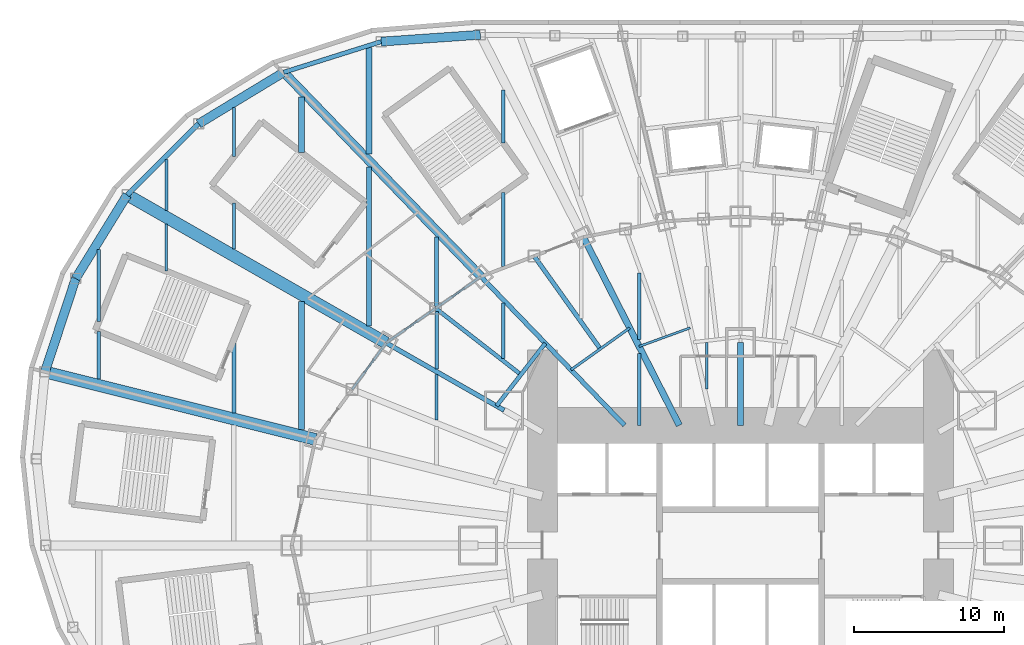
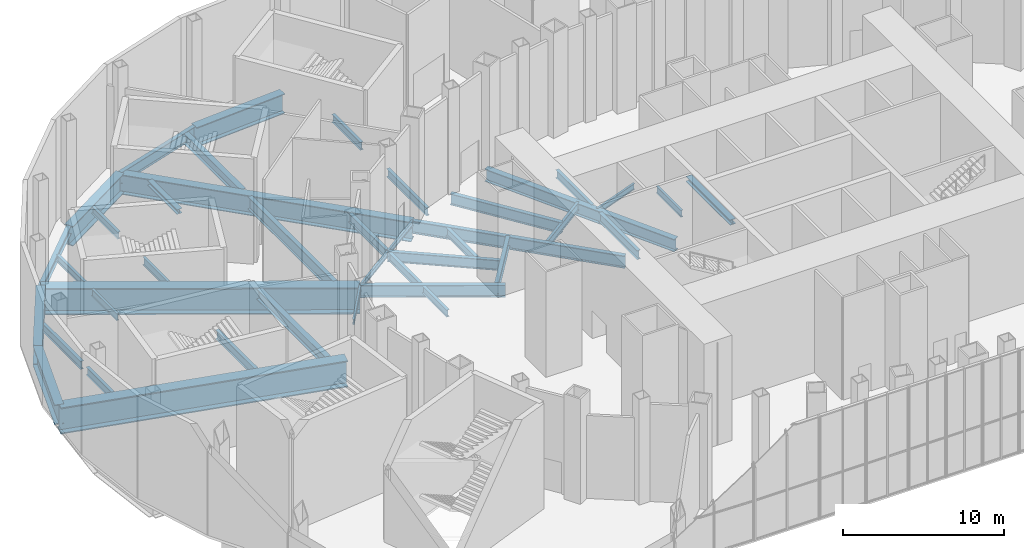
# One storey, part 6 of 74: 41 beams.
"""IFC4 building model written with IfcOpenShell, lengths in metres."""

from ifc_helpers import new_model, si_unit, direction, frame, origin, origin_2d, place, context, subcontext, project, spatial, i_section, extrude, material, material_profile, profile_set, type_object, element, save


model = new_model("IFC4")

# Units and contexts
model_context = context("Model", 3, precision=1e-05, world=origin(), true_north=direction((0.0, 1.0)))
body_context = subcontext(model_context, "Body", "Model", "MODEL_VIEW")
ifc_project = project(units=[si_unit("LENGTHUNIT", "METRE"), si_unit("AREAUNIT", "SQUARE_METRE"), si_unit("VOLUMEUNIT", "CUBIC_METRE"), si_unit("PLANEANGLEUNIT", "RADIAN"), si_unit("MASSUNIT", "GRAM", prefix="KILO")], contexts=[model_context])

# Site, building, storey
site_placement = place(None, origin())
site = spatial("IfcSite", under=ifc_project, at=site_placement, CompositionType="ELEMENT")
building_placement = place(site_placement, origin())
building = spatial("IfcBuilding", under=site, at=building_placement, Name="Lantaw Convention Tower", CompositionType="ELEMENT")
storey_placement = place(building_placement, frame((0.0, 0.0, 6.5)))
storey = spatial("IfcBuildingStorey", under=building, at=storey_placement, Name="L01", CompositionType="ELEMENT", Elevation=6.5)

# Beams
ifc_material_1 = material(Name="Steel ASTM A572 Grade 50", Category="steel")
ifc_material_profile_1 = material_profile(ifc_material_1, i_section(OverallWidth=0.60009765625, OverallDepth=1.5, WebThickness=0.02490234375, FlangeThickness=0.06005859375, at=origin_2d()), Name="PG1500X600X25X60")
ifc_profile_set_1 = profile_set([ifc_material_profile_1], Name="Steel ASTM A572 Grade 50")
beam_type_1 = type_object("IfcBeamType", Name="Beam E PG1500X600X25X60", PredefinedType="SPANDREL", material=ifc_profile_set_1)
beam_1_placement = place(storey_placement, frame((-17.333984375, 34.019775390625, -0.949951171875), z_axis=(-0.997615470709, -0.069017190627, 0.0), x_axis=(0.069017190627, -0.997615470709, 0.0)))
element("IfcBeam", 1, at=beam_1_placement, inside=storey, type_object=beam_type_1, Name="Podium edge beam R08", PredefinedType="SPANDREL", context=body_context, shape_type="SweptSolid", body=[
    extrude(i_section(OverallWidth=0.60009765625, OverallDepth=1.5, WebThickness=0.02490234375, FlangeThickness=0.06005859375, at=origin_2d()), origin(), (0.0, 0.0, 1.0), 6.6220703125),
])
beam_2_placement = place(storey_placement, frame((-30.43603515625, 31.517578125, -0.949951171875), z_axis=(-0.855269526547, -0.518183400893, 0.0), x_axis=(0.518183400893, -0.855269526547, 0.0)))
element("IfcBeam", 2, at=beam_2_placement, inside=storey, type_object=beam_type_1, Name="Podium edge beam R09", PredefinedType="SPANDREL", context=body_context, shape_type="SweptSolid", body=[
    extrude(i_section(OverallWidth=0.60009765625, OverallDepth=1.5, WebThickness=0.02490234375, FlangeThickness=0.06005859375, at=origin_2d()), origin(), (0.0, 0.0, 1.0), 6.63134765625),
])
beam_3_placement = place(storey_placement, frame((-40.864013671875, 23.350830078125, -0.949951171875), z_axis=(-0.524178644867, -0.851608330317, 0.0), x_axis=(0.851608330317, -0.524178644867, 0.0)))
element("IfcBeam", 3, at=beam_3_placement, inside=storey, type_object=beam_type_1, Name="Podium edge beam R10", PredefinedType="SPANDREL", context=body_context, shape_type="SweptSolid", body=[
    extrude(i_section(OverallWidth=0.60009765625, OverallDepth=1.5, WebThickness=0.02490234375, FlangeThickness=0.06005859375, at=origin_2d()), origin(), (0.0, 0.0, 1.0), 6.54052734375),
])
beam_4_placement = place(storey_placement, frame((-44.29248046875, 17.78076171875, -0.949951171875), z_axis=(-0.312739573604, -0.949838912186, 0.0), x_axis=(0.949838912186, -0.312739573604, 0.0)))
element("IfcBeam", 4, at=beam_4_placement, inside=storey, type_object=beam_type_1, Name="Podium edge beam B10", PredefinedType="SPANDREL", context=body_context, shape_type="SweptSolid", body=[
    extrude(i_section(OverallWidth=0.60009765625, OverallDepth=1.5, WebThickness=0.02490234375, FlangeThickness=0.06005859375, at=origin_2d()), origin(), (0.0, 0.0, 1.0), 6.55517578125),
])
ifc_material_2 = material(Name="Steel ASTM A992", Category="steel")
ifc_material_profile_2 = material_profile(ifc_material_2, i_section(OverallWidth=0.140380859375, OverallDepth=0.40380859375, WebThickness=0.007080078125, FlangeThickness=0.01123046875, FilletRadius=0.01025390625, at=origin_2d()), Name="W16X31")
ifc_profile_set_2 = profile_set([ifc_material_profile_2], Name="Steel ASTM A992")
beam_type_2 = type_object("IfcBeamType", Name="Beam E W16X31", PredefinedType="SPANDREL", material=ifc_profile_set_2)
beam_5_placement = place(storey_placement, frame((-17.290771484375, 17.9052734375, -0.40185546875), z_axis=(-0.819409395821, -0.573208724672, 0.0), x_axis=(0.573208724672, -0.819409395821, 0.0)))
element("IfcBeam", 5, at=beam_5_placement, inside=storey, type_object=beam_type_2, Name="Edge beam 10", PredefinedType="SPANDREL", context=body_context, shape_type="SweptSolid", body=[
    extrude(i_section(OverallWidth=0.140380859375, OverallDepth=0.40380859375, WebThickness=0.007080078125, FlangeThickness=0.01123046875, FilletRadius=0.01025390625, at=origin_2d()), origin(), (0.0, 0.0, 1.0), 3.682861328125),
])
beam_6_placement = place(storey_placement, frame((-20.30859375, 15.794189453125, -0.40185546875), z_axis=(-0.819442856133, -0.573160889744, 0.0), x_axis=(0.573160889744, -0.819442856133, 0.0)))
element("IfcBeam", 6, at=beam_6_placement, inside=storey, type_object=beam_type_2, Name="Edge beam 10", PredefinedType="SPANDREL", context=body_context, shape_type="SweptSolid", body=[
    extrude(i_section(OverallWidth=0.140380859375, OverallDepth=0.40380859375, WebThickness=0.007080078125, FlangeThickness=0.01123046875, FilletRadius=0.01025390625, at=origin_2d()), origin(), (0.0, 0.0, 1.0), 4.022705078125),
])
beam_7_placement = place(storey_placement, frame((-23.60498046875, 13.488525390625, -0.40185546875), z_axis=(-0.591286566758, -0.806461527893, 0.0), x_axis=(0.806461527893, -0.591286566758, 0.0)))
element("IfcBeam", 7, at=beam_7_placement, inside=storey, type_object=beam_type_2, Name="Edge beam 11", PredefinedType="SPANDREL", context=body_context, shape_type="SweptSolid", body=[
    extrude(i_section(OverallWidth=0.140380859375, OverallDepth=0.40380859375, WebThickness=0.007080078125, FlangeThickness=0.01123046875, FilletRadius=0.01025390625, at=origin_2d()), origin(), (0.0, 0.0, 1.0), 3.843994140625),
])
ifc_material_profile_3 = material_profile(ifc_material_2, i_section(OverallWidth=0.3251953125, OverallDepth=0.612060546875, WebThickness=0.0126953125, FlangeThickness=0.01904296875, FilletRadius=0.0126953125, at=origin_2d()), Name="W24X104")
ifc_profile_set_3 = profile_set([ifc_material_profile_3], Name="Steel ASTM A992")
beam_type_3 = type_object("IfcBeamType", Name="Beam E W24X104", PredefinedType="SPANDREL", material=ifc_profile_set_3)
beam_8_placement = place(storey_placement, frame((-36.107666015625, 28.081298828125, -0.506103515625), z_axis=(-0.709033046271, -0.705175254314, 0.0), x_axis=(0.705175254314, -0.709033046271, 0.0)))
element("IfcBeam", 8, at=beam_8_placement, inside=storey, type_object=beam_type_3, Name="Podium edge beam B09", PredefinedType="SPANDREL", context=body_context, shape_type="SweptSolid", body=[
    extrude(i_section(OverallWidth=0.3251953125, OverallDepth=0.612060546875, WebThickness=0.0126953125, FlangeThickness=0.01904296875, FilletRadius=0.0126953125, at=origin_2d()), origin(), (0.0, 0.0, 1.0), 6.708251953125),
])
ifc_material_profile_4 = material_profile(ifc_material_2, i_section(OverallWidth=0.2919921875, OverallDepth=0.845703125, WebThickness=0.015380859375, FlangeThickness=0.0244140625, FilletRadius=0.01513671875, at=origin_2d()), Name="W33X141")
ifc_profile_set_4 = profile_set([ifc_material_profile_4], Name="Steel ASTM A992")
beam_type_4 = type_object("IfcBeamType", Name="Beam E W33X141", PredefinedType="SPANDREL", material=ifc_profile_set_4)
beam_9_placement = place(storey_placement, frame((-23.940185546875, 33.562744140625, -0.622802734375), z_axis=(-0.953841834513, -0.300309431643, 0.0), x_axis=(0.300309431643, -0.953841834513, 0.0)))
element("IfcBeam", 9, at=beam_9_placement, inside=storey, type_object=beam_type_4, Name="Podium edge beam B08", PredefinedType="SPANDREL", context=body_context, shape_type="SweptSolid", body=[
    extrude(i_section(OverallWidth=0.2919921875, OverallDepth=0.845703125, WebThickness=0.015380859375, FlangeThickness=0.0244140625, FilletRadius=0.01513671875, at=origin_2d()), origin(), (0.0, 0.0, 1.0), 6.810302734375),
])
ifc_material_profile_5 = material_profile(ifc_material_2, i_section(OverallWidth=0.2666015625, OverallDepth=0.76953125, WebThickness=0.015625, FlangeThickness=0.025390625, FilletRadius=0.0126953125, at=origin_2d()), Name="W30X132")
ifc_profile_set_5 = profile_set([ifc_material_profile_5], Name="Steel ASTM A992")
beam_type_5 = type_object("IfcBeamType", Name="Beam G W30X132", PredefinedType="BEAM", material=ifc_profile_set_5)
beam_10_placement = place(storey_placement, frame((-14.628173828125, 11.37646484375, -0.584716796875), z_axis=(-0.789377792374, 0.613907729961, 0.0), x_axis=(-0.613907729961, -0.789377792374, 0.0)))
element("IfcBeam", 10, at=beam_10_placement, inside=storey, type_object=beam_type_5, Name="Floor girder on bisector 10", PredefinedType="BEAM", context=body_context, shape_type="SweptSolid", body=[
    extrude(i_section(OverallWidth=0.2666015625, OverallDepth=0.76953125, WebThickness=0.015625, FlangeThickness=0.025390625, FilletRadius=0.0126953125, at=origin_2d()), origin(), (0.0, 0.0, 1.0), 7.196044921875),
])
ifc_material_profile_6 = material_profile(ifc_material_2, i_section(OverallWidth=0.2919921875, OverallDepth=0.845703125, WebThickness=0.015380859375, FlangeThickness=0.0244140625, FilletRadius=0.01513671875, at=origin_2d()), Name="W33X141")
ifc_profile_set_6 = profile_set([ifc_material_profile_6], Name="Steel ASTM A992")
beam_type_6 = type_object("IfcBeamType", Name="Beam G W33X141", PredefinedType="BEAM", material=ifc_profile_set_6)
beam_11_placement = place(storey_placement, frame((-9.335693359375, 13.088134765625, -0.622802734375), z_axis=(-0.580702805158, 0.814115625745, 0.0), x_axis=(-0.814115625745, -0.580702805158, 0.0)))
element("IfcBeam", 11, at=beam_11_placement, inside=storey, type_object=beam_type_6, Name="Floor girder on bisector 9", PredefinedType="BEAM", context=body_context, shape_type="SweptSolid", body=[
    extrude(i_section(OverallWidth=0.2919921875, OverallDepth=0.845703125, WebThickness=0.015380859375, FlangeThickness=0.0244140625, FilletRadius=0.01513671875, at=origin_2d()), origin(), (0.0, 0.0, 1.0), 7.59375),
])
ifc_material_profile_7 = material_profile(ifc_material_2, i_section(OverallWidth=0.307373046875, OverallDepth=0.922119140625, WebThickness=0.018310546875, FlangeThickness=0.030029296875, FilletRadius=0.0126953125, at=origin_2d()), Name="W36X182")
ifc_profile_set_7 = profile_set([ifc_material_profile_7], Name="Steel ASTM A992")
beam_type_7 = type_object("IfcBeamType", Name="Beam G W36X182", PredefinedType="BEAM", material=ifc_profile_set_7)
beam_12_placement = place(storey_placement, frame((-15.75, 9.0, -0.660888671875), z_axis=(-0.868244802791, 0.496136032179, 0.0), x_axis=(-0.496136032179, -0.868244802791, 0.0)))
element("IfcBeam", 12, at=beam_12_placement, inside=storey, type_object=beam_type_7, Name="Floor girder on ray 11", PredefinedType="BEAM", context=body_context, shape_type="SweptSolid", body=[
    extrude(i_section(OverallWidth=0.307373046875, OverallDepth=0.922119140625, WebThickness=0.018310546875, FlangeThickness=0.030029296875, FilletRadius=0.0126953125, at=origin_2d()), origin(), (0.0, 0.0, 1.0), 9.046875),
])
ifc_material_profile_8 = material_profile(ifc_material_2, i_section(OverallWidth=0.307373046875, OverallDepth=0.9423828125, WebThickness=0.022216796875, FlangeThickness=0.039794921875, FilletRadius=0.0126953125, at=origin_2d()), Name="W36X232")
ifc_profile_set_8 = profile_set([ifc_material_profile_8], Name="Steel ASTM A992")
beam_type_8 = type_object("IfcBeamType", Name="Beam G W36X232", PredefinedType="BEAM", material=ifc_profile_set_8)
beam_13_placement = place(storey_placement, frame((-7.7255859375, 8.0, -0.671142578125), z_axis=(-0.694649884291, 0.719347995239, 0.0), x_axis=(-0.719347995239, -0.694649884291, 0.0)))
element("IfcBeam", 13, at=beam_13_placement, inside=storey, type_object=beam_type_8, Name="Floor girder on ray 10", PredefinedType="BEAM", context=body_context, shape_type="SweptSolid", body=[
    extrude(i_section(OverallWidth=0.307373046875, OverallDepth=0.9423828125, WebThickness=0.022216796875, FlangeThickness=0.039794921875, FilletRadius=0.0126953125, at=origin_2d()), origin(), (0.0, 0.0, 1.0), 13.769775390625),
])
ifc_material_profile_9 = material_profile(ifc_material_2, i_section(OverallWidth=0.424072265625, OverallDepth=0.947509765625, WebThickness=0.02392578125, FlangeThickness=0.042724609375, FilletRadius=0.012451171875, at=origin_2d()), Name="W36X302")
ifc_profile_set_9 = profile_set([ifc_material_profile_9], Name="Steel ASTM A992")
beam_type_9 = type_object("IfcBeamType", Name="Beam G W36X302", PredefinedType="BEAM", material=ifc_profile_set_9)
beam_14_placement = place(storey_placement, frame((-4.076171875, 8.0, -0.673828125), z_axis=(-0.453997016122, 0.891003203896, 0.0), x_axis=(-0.891003203896, -0.453997016122, 0.0)))
element("IfcBeam", 14, at=beam_14_placement, inside=storey, type_object=beam_type_9, Name="Floor girder on ray 9", PredefinedType="BEAM", context=body_context, shape_type="SweptSolid", body=[
    extrude(i_section(OverallWidth=0.424072265625, OverallDepth=0.947509765625, WebThickness=0.02392578125, FlangeThickness=0.042724609375, FilletRadius=0.012451171875, at=origin_2d()), origin(), (0.0, 0.0, 1.0), 14.067138671875),
])
ifc_material_profile_10 = material_profile(ifc_material_2, i_section(OverallWidth=0.40380859375, OverallDepth=0.406494140625, WebThickness=0.027099609375, FlangeThickness=0.043701171875, FilletRadius=0.01513671875, at=origin_2d()), Name="W14X233")
ifc_profile_set_10 = profile_set([ifc_material_profile_10], Name="Steel ASTM A992")
beam_type_10 = type_object("IfcBeamType", Name="Beam GM W14X233", PredefinedType="BEAM", material=ifc_profile_set_10)
beam_15_placement = place(storey_placement, frame((0.0, 8.0, -0.4033203125), z_axis=(0.0, 1.0, 0.0), x_axis=(-1.0, 0.0, 0.0)))
element("IfcBeam", 15, at=beam_15_placement, inside=storey, type_object=beam_type_10, Name="Core link beam on ray 7", PredefinedType="BEAM", context=body_context, shape_type="SweptSolid", body=[
    extrude(i_section(OverallWidth=0.40380859375, OverallDepth=0.406494140625, WebThickness=0.027099609375, FlangeThickness=0.043701171875, FilletRadius=0.01513671875, at=origin_2d()), origin(), (0.0, 0.0, 1.0), 5.5),
])
ifc_material_profile_11 = material_profile(ifc_material_2, i_section(OverallWidth=0.15234375, OverallDepth=0.449462890625, WebThickness=0.007568359375, FlangeThickness=0.0107421875, FilletRadius=0.01025390625, at=origin_2d()), Name="W18X35")
ifc_profile_set_11 = profile_set([ifc_material_profile_11], Name="Steel ASTM A992")
beam_type_11 = type_object("IfcBeamType", Name="Beam HC W18X35", PredefinedType="BEAM", material=ifc_profile_set_11)
beam_16_placement = place(storey_placement, frame((-3.345947265625, 14.4931640625, -0.4248046875), z_axis=(-0.939689171859, -0.342029619025, 0.0), x_axis=(0.342029619025, -0.939689171859, 0.0)))
element("IfcBeam", 16, at=beam_16_placement, inside=storey, type_object=beam_type_11, Name="Collar beam on bisector 8", PredefinedType="BEAM", context=body_context, shape_type="SweptSolid", body=[
    extrude(i_section(OverallWidth=0.15234375, OverallDepth=0.449462890625, WebThickness=0.007568359375, FlangeThickness=0.0107421875, FilletRadius=0.01025390625, at=origin_2d()), origin(), (0.0, 0.0, 1.0), 3.62548828125),
])
ifc_material_profile_12 = material_profile(ifc_material_2, i_section(OverallWidth=0.177978515625, OverallDepth=0.599365234375, WebThickness=0.010009765625, FlangeThickness=0.012939453125, FilletRadius=0.012939453125, at=origin_2d()), Name="W24X55")
ifc_profile_set_12 = profile_set([ifc_material_profile_12], Name="Steel ASTM A992")
beam_type_12 = type_object("IfcBeamType", Name="Beam HC W24X55", PredefinedType="BEAM", material=ifc_profile_set_12)
beam_17_placement = place(storey_placement, frame((-7.379638671875, 14.4833984375, -0.499755859375), z_axis=(-0.814110909588, -0.580709416912, 0.0), x_axis=(0.580709416912, -0.814110909588, 0.0)))
element("IfcBeam", 17, at=beam_17_placement, inside=storey, type_object=beam_type_12, Name="Collar beam on bisector 9", PredefinedType="BEAM", context=body_context, shape_type="SweptSolid", body=[
    extrude(i_section(OverallWidth=0.177978515625, OverallDepth=0.599365234375, WebThickness=0.010009765625, FlangeThickness=0.012939453125, FilletRadius=0.012939453125, at=origin_2d()), origin(), (0.0, 0.0, 1.0), 4.805419921875),
])
ifc_material_profile_13 = material_profile(ifc_material_2, i_section(OverallWidth=0.2666015625, OverallDepth=0.76953125, WebThickness=0.015625, FlangeThickness=0.025390625, FilletRadius=0.0126953125, at=origin_2d()), Name="W30X132")
ifc_profile_set_13 = profile_set([ifc_material_profile_13], Name="Steel ASTM A992")
beam_type_13 = type_object("IfcBeamType", Name="Beam HC W30X132", PredefinedType="BEAM", material=ifc_profile_set_13)
beam_18_placement = place(storey_placement, frame((-13.00341796875, 13.465576171875, -0.584716796875), z_axis=(-0.613915067401, -0.789372085913, 0.0), x_axis=(0.789372085913, -0.613915067401, 0.0)))
element("IfcBeam", 18, at=beam_18_placement, inside=storey, type_object=beam_type_13, Name="Collar beam on bisector 10", PredefinedType="BEAM", context=body_context, shape_type="SweptSolid", body=[
    extrude(i_section(OverallWidth=0.2666015625, OverallDepth=0.76953125, WebThickness=0.015625, FlangeThickness=0.025390625, FilletRadius=0.0126953125, at=origin_2d()), origin(), (0.0, 0.0, 1.0), 5.293212890625),
])
ifc_material_profile_14 = material_profile(ifc_material_2, i_section(OverallWidth=0.370849609375, OverallDepth=0.36328125, WebThickness=0.013427734375, FlangeThickness=0.021728515625, FilletRadius=0.01513671875, at=origin_2d()), Name="W14X109")
ifc_profile_set_14 = profile_set([ifc_material_profile_14], Name="Steel ASTM A992")
beam_type_14 = type_object("IfcBeamType", Name="Beam J W14X109", PredefinedType="JOIST", material=ifc_profile_set_14)
beam_19_placement = place(storey_placement, frame((-29.25, 26.16845703125, -0.381591796875), z_axis=(0.0, 1.0, 0.0), x_axis=(-1.0, 0.0, 0.0)))
element("IfcBeam", 19, at=beam_19_placement, inside=storey, type_object=beam_type_14, Name="Floor joist", PredefinedType="JOIST", context=body_context, shape_type="SweptSolid", body=[
    extrude(i_section(OverallWidth=0.370849609375, OverallDepth=0.36328125, WebThickness=0.013427734375, FlangeThickness=0.021728515625, FilletRadius=0.01513671875, at=origin_2d()), origin(), (0.0, 0.0, 1.0), 3.68896484375),
])
ifc_material_profile_15 = material_profile(ifc_material_2, i_section(OverallWidth=0.1650390625, OverallDepth=0.52587890625, WebThickness=0.0087890625, FlangeThickness=0.011474609375, FilletRadius=0.0126953125, at=origin_2d()), Name="W21X44")
ifc_profile_set_15 = profile_set([ifc_material_profile_15], Name="Steel ASTM A992")
beam_type_15 = type_object("IfcBeamType", Name="Beam J W21X44", PredefinedType="JOIST", material=ifc_profile_set_15)
beam_20_placement = place(storey_placement, frame((-38.25, 18.264404296875, -0.462890625), z_axis=(0.0, 1.0, 0.0), x_axis=(-1.0, 0.0, 0.0)))
element("IfcBeam", 20, at=beam_20_placement, inside=storey, type_object=beam_type_15, Name="Floor joist", PredefinedType="JOIST", context=body_context, shape_type="SweptSolid", body=[
    extrude(i_section(OverallWidth=0.1650390625, OverallDepth=0.52587890625, WebThickness=0.0087890625, FlangeThickness=0.011474609375, FilletRadius=0.0126953125, at=origin_2d()), origin(), (0.0, 0.0, 1.0), 3.132080078125),
])
ifc_material_profile_16 = material_profile(ifc_material_2, i_section(OverallWidth=0.165771484375, OverallDepth=0.5283203125, WebThickness=0.009765625, FlangeThickness=0.013671875, FilletRadius=0.012939453125, at=origin_2d()), Name="W21X50")
ifc_profile_set_16 = profile_set([ifc_material_profile_16], Name="Steel ASTM A992")
beam_type_16 = type_object("IfcBeamType", Name="Beam J W21X50", PredefinedType="JOIST", material=ifc_profile_set_16)
beam_21_placement = place(storey_placement, frame((-2.25, 10.428955078125, -0.464111328125), z_axis=(0.0, 1.0, 0.0), x_axis=(-1.0, 0.0, 0.0)))
element("IfcBeam", 21, at=beam_21_placement, inside=storey, type_object=beam_type_16, Name="Floor joist", PredefinedType="JOIST", context=body_context, shape_type="SweptSolid", body=[
    extrude(i_section(OverallWidth=0.165771484375, OverallDepth=0.5283203125, WebThickness=0.009765625, FlangeThickness=0.013671875, FilletRadius=0.012939453125, at=origin_2d()), origin(), (0.0, 0.0, 1.0), 3.091064453125),
])
ifc_material_profile_17 = material_profile(ifc_material_2, i_section(OverallWidth=0.209228515625, OverallDepth=0.533447265625, WebThickness=0.01025390625, FlangeThickness=0.015625, FilletRadius=0.012939453125, at=origin_2d()), Name="W21X62")
ifc_profile_set_17 = profile_set([ifc_material_profile_17], Name="Steel ASTM A992")
beam_type_17 = type_object("IfcBeamType", Name="Beam J W21X62", PredefinedType="JOIST", material=ifc_profile_set_17)
beam_22_placement = place(storey_placement, frame((-38.25, 22.31787109375, -0.466796875), z_axis=(0.0, 1.0, 0.0), x_axis=(-1.0, 0.0, 0.0)))
element("IfcBeam", 22, at=beam_22_placement, inside=storey, type_object=beam_type_17, Name="Floor joist", PredefinedType="JOIST", context=body_context, shape_type="SweptSolid", body=[
    extrude(i_section(OverallWidth=0.209228515625, OverallDepth=0.533447265625, WebThickness=0.01025390625, FlangeThickness=0.015625, FilletRadius=0.012939453125, at=origin_2d()), origin(), (0.0, 0.0, 1.0), 3.403564453125),
])
ifc_material_profile_18 = material_profile(ifc_material_2, i_section(OverallWidth=0.2099609375, OverallDepth=0.535888671875, WebThickness=0.010986328125, FlangeThickness=0.017333984375, FilletRadius=0.012939453125, at=origin_2d()), Name="W21X68")
ifc_profile_set_18 = profile_set([ifc_material_profile_18], Name="Steel ASTM A992")
beam_type_18 = type_object("IfcBeamType", Name="Beam J W21X68", PredefinedType="JOIST", material=ifc_profile_set_18)
beam_23_placement = place(storey_placement, frame((-33.75, 25.900390625, -0.468017578125), z_axis=(0.0, 1.0, 0.0), x_axis=(-1.0, 0.0, 0.0)))
element("IfcBeam", 23, at=beam_23_placement, inside=storey, type_object=beam_type_18, Name="Floor joist", PredefinedType="JOIST", context=body_context, shape_type="SweptSolid", body=[
    extrude(i_section(OverallWidth=0.2099609375, OverallDepth=0.535888671875, WebThickness=0.010986328125, FlangeThickness=0.017333984375, FilletRadius=0.012939453125, at=origin_2d()), origin(), (0.0, 0.0, 1.0), 3.258544921875),
])
beam_24_placement = place(storey_placement, frame((-20.25, 8.3466796875, -0.468017578125), z_axis=(0.0, 1.0, 0.0), x_axis=(-1.0, 0.0, 0.0)))
element("IfcBeam", 24, at=beam_24_placement, inside=storey, type_object=beam_type_18, Name="Floor joist", PredefinedType="JOIST", context=body_context, shape_type="SweptSolid", body=[
    extrude(i_section(OverallWidth=0.2099609375, OverallDepth=0.535888671875, WebThickness=0.010986328125, FlangeThickness=0.017333984375, FilletRadius=0.012939453125, at=origin_2d()), origin(), (0.0, 0.0, 1.0), 3.0478515625),
])
ifc_material_profile_19 = material_profile(ifc_material_2, i_section(OverallWidth=0.177978515625, OverallDepth=0.599365234375, WebThickness=0.010009765625, FlangeThickness=0.012939453125, FilletRadius=0.012939453125, at=origin_2d()), Name="W24X55")
ifc_profile_set_19 = profile_set([ifc_material_profile_19], Name="Steel ASTM A992")
beam_type_19 = type_object("IfcBeamType", Name="Beam J W24X55", PredefinedType="JOIST", material=ifc_profile_set_19)
beam_25_placement = place(storey_placement, frame((-33.75, 19.746337890625, -0.499755859375), z_axis=(0.0, 1.0, 0.0), x_axis=(-1.0, 0.0, 0.0)))
element("IfcBeam", 25, at=beam_25_placement, inside=storey, type_object=beam_type_19, Name="Floor joist", PredefinedType="JOIST", context=body_context, shape_type="SweptSolid", body=[
    extrude(i_section(OverallWidth=0.177978515625, OverallDepth=0.599365234375, WebThickness=0.010009765625, FlangeThickness=0.012939453125, FilletRadius=0.012939453125, at=origin_2d()), origin(), (0.0, 0.0, 1.0), 3.080810546875),
])
ifc_material_profile_20 = material_profile(ifc_material_2, i_section(OverallWidth=0.227783203125, OverallDepth=0.60205078125, WebThickness=0.010498046875, FlangeThickness=0.014892578125, FilletRadius=0.012939453125, at=origin_2d()), Name="W24X68")
ifc_profile_set_20 = profile_set([ifc_material_profile_20], Name="Steel ASTM A992")
beam_type_20 = type_object("IfcBeamType", Name="Beam J W24X68", PredefinedType="JOIST", material=ifc_profile_set_20)
beam_26_placement = place(storey_placement, frame((-42.75, 11.071044921875, -0.5009765625), z_axis=(0.0, 1.0, 0.0), x_axis=(-1.0, 0.0, 0.0)))
element("IfcBeam", 26, at=beam_26_placement, inside=storey, type_object=beam_type_20, Name="Floor joist", PredefinedType="JOIST", context=body_context, shape_type="SweptSolid", body=[
    extrude(i_section(OverallWidth=0.227783203125, OverallDepth=0.60205078125, WebThickness=0.010498046875, FlangeThickness=0.014892578125, FilletRadius=0.012939453125, at=origin_2d()), origin(), (0.0, 0.0, 1.0), 3.18115234375),
])
beam_27_placement = place(storey_placement, frame((-6.75, 13.72119140625, -0.5009765625), z_axis=(0.0, 1.0, 0.0), x_axis=(-1.0, 0.0, 0.0)))
element("IfcBeam", 27, at=beam_27_placement, inside=storey, type_object=beam_type_20, Name="Floor joist", PredefinedType="JOIST", context=body_context, shape_type="SweptSolid", body=[
    extrude(i_section(OverallWidth=0.227783203125, OverallDepth=0.60205078125, WebThickness=0.010498046875, FlangeThickness=0.014892578125, FilletRadius=0.012939453125, at=origin_2d()), origin(), (0.0, 0.0, 1.0), 4.434326171875),
])
ifc_material_profile_21 = material_profile(ifc_material_2, i_section(OverallWidth=0.22900390625, OverallDepth=0.612060546875, WebThickness=0.011962890625, FlangeThickness=0.01953125, FilletRadius=0.0126953125, at=origin_2d()), Name="W24X84")
ifc_profile_set_21 = profile_set([ifc_material_profile_21], Name="Steel ASTM A992")
beam_type_21 = type_object("IfcBeamType", Name="Beam J W24X84", PredefinedType="JOIST", material=ifc_profile_set_21)
beam_28_placement = place(storey_placement, frame((-42.75, 14.91259765625, -0.506103515625), z_axis=(0.0, 1.0, 0.0), x_axis=(-1.0, 0.0, 0.0)))
element("IfcBeam", 28, at=beam_28_placement, inside=storey, type_object=beam_type_21, Name="Floor joist", PredefinedType="JOIST", context=body_context, shape_type="SweptSolid", body=[
    extrude(i_section(OverallWidth=0.22900390625, OverallDepth=0.612060546875, WebThickness=0.011962890625, FlangeThickness=0.01953125, FilletRadius=0.0126953125, at=origin_2d()), origin(), (0.0, 0.0, 1.0), 4.8017578125),
])
beam_29_placement = place(storey_placement, frame((-20.25, 11.74853515625, -0.506103515625), z_axis=(0.0, 1.0, 0.0), x_axis=(-1.0, 0.0, 0.0)))
element("IfcBeam", 29, at=beam_29_placement, inside=storey, type_object=beam_type_21, Name="Floor joist", PredefinedType="JOIST", context=body_context, shape_type="SweptSolid", body=[
    extrude(i_section(OverallWidth=0.22900390625, OverallDepth=0.612060546875, WebThickness=0.011962890625, FlangeThickness=0.01953125, FilletRadius=0.0126953125, at=origin_2d()), origin(), (0.0, 0.0, 1.0), 3.8310546875),
])
beam_30_placement = place(storey_placement, frame((-15.800048828125, 12.456787109375, -0.506103515625), z_axis=(0.0, 1.0, 0.0), x_axis=(-1.0, 0.0, 0.0)))
element("IfcBeam", 30, at=beam_30_placement, inside=storey, type_object=beam_type_21, Name="Floor joist", PredefinedType="JOIST", context=body_context, shape_type="SweptSolid", body=[
    extrude(i_section(OverallWidth=0.22900390625, OverallDepth=0.612060546875, WebThickness=0.011962890625, FlangeThickness=0.01953125, FilletRadius=0.0126953125, at=origin_2d()), origin(), (0.0, 0.0, 1.0), 3.683349609375),
])
beam_31_placement = place(storey_placement, frame((-15.800048828125, 18.574462890625, -0.506103515625), z_axis=(0.0, 1.0, 0.0), x_axis=(-1.0, 0.0, 0.0)))
element("IfcBeam", 31, at=beam_31_placement, inside=storey, type_object=beam_type_21, Name="Floor joist", PredefinedType="JOIST", context=body_context, shape_type="SweptSolid", body=[
    extrude(i_section(OverallWidth=0.22900390625, OverallDepth=0.612060546875, WebThickness=0.011962890625, FlangeThickness=0.01953125, FilletRadius=0.0126953125, at=origin_2d()), origin(), (0.0, 0.0, 1.0), 4.94921875),
])
beam_32_placement = place(storey_placement, frame((-15.800048828125, 26.80029296875, -0.506103515625), z_axis=(0.0, 1.0, 0.0), x_axis=(-1.0, 0.0, 0.0)))
element("IfcBeam", 32, at=beam_32_placement, inside=storey, type_object=beam_type_21, Name="Floor joist", PredefinedType="JOIST", context=body_context, shape_type="SweptSolid", body=[
    extrude(i_section(OverallWidth=0.22900390625, OverallDepth=0.612060546875, WebThickness=0.011962890625, FlangeThickness=0.01953125, FilletRadius=0.0126953125, at=origin_2d()), origin(), (0.0, 0.0, 1.0), 3.548095703125),
])
ifc_material_profile_22 = material_profile(ifc_material_2, i_section(OverallWidth=0.256591796875, OverallDepth=0.693359375, WebThickness=0.014404296875, FlangeThickness=0.023681640625, FilletRadius=0.01513671875, at=origin_2d()), Name="W27X114")
ifc_profile_set_22 = profile_set([ifc_material_profile_22], Name="Steel ASTM A992")
beam_type_22 = type_object("IfcBeamType", Name="Beam J W27X114", PredefinedType="JOIST", material=ifc_profile_set_22)
beam_33_placement = place(storey_placement, frame((-20.25, 15.9208984375, -0.546630859375), z_axis=(0.0, 1.0, 0.0), x_axis=(-1.0, 0.0, 0.0)))
element("IfcBeam", 33, at=beam_33_placement, inside=storey, type_object=beam_type_22, Name="Floor joist", PredefinedType="JOIST", context=body_context, shape_type="SweptSolid", body=[
    extrude(i_section(OverallWidth=0.256591796875, OverallDepth=0.693359375, WebThickness=0.014404296875, FlangeThickness=0.023681640625, FilletRadius=0.01513671875, at=origin_2d()), origin(), (0.0, 0.0, 1.0), 4.61669921875),
])
ifc_material_profile_23 = material_profile(ifc_material_2, i_section(OverallWidth=0.25390625, OverallDepth=0.683349609375, WebThickness=0.012451171875, FlangeThickness=0.01904296875, FilletRadius=0.01513671875, at=origin_2d()), Name="W27X94")
ifc_profile_set_23 = profile_set([ifc_material_profile_23], Name="Steel ASTM A992")
beam_type_23 = type_object("IfcBeamType", Name="Beam J W27X94", PredefinedType="JOIST", material=ifc_profile_set_23)
beam_34_placement = place(storey_placement, frame((-33.75, 8.8271484375, -0.541748046875), z_axis=(0.0, 1.0, 0.0), x_axis=(-1.0, 0.0, 0.0)))
element("IfcBeam", 34, at=beam_34_placement, inside=storey, type_object=beam_type_23, Name="Floor joist", PredefinedType="JOIST", context=body_context, shape_type="SweptSolid", body=[
    extrude(i_section(OverallWidth=0.25390625, OverallDepth=0.683349609375, WebThickness=0.012451171875, FlangeThickness=0.01904296875, FilletRadius=0.01513671875, at=origin_2d()), origin(), (0.0, 0.0, 1.0), 4.88330078125),
])
beam_35_placement = place(storey_placement, frame((-6.75, 8.0, -0.541748046875), z_axis=(0.0, 1.0, 0.0), x_axis=(-1.0, 0.0, 0.0)))
element("IfcBeam", 35, at=beam_35_placement, inside=storey, type_object=beam_type_23, Name="Floor joist", PredefinedType="JOIST", context=body_context, shape_type="SweptSolid", body=[
    extrude(i_section(OverallWidth=0.25390625, OverallDepth=0.683349609375, WebThickness=0.012451171875, FlangeThickness=0.01904296875, FilletRadius=0.01513671875, at=origin_2d()), origin(), (0.0, 0.0, 1.0), 4.780517578125),
])
ifc_material_profile_24 = material_profile(ifc_material_2, i_section(OverallWidth=0.381103515625, OverallDepth=0.772216796875, WebThickness=0.0166015625, FlangeThickness=0.027099609375, FilletRadius=0.0146484375, at=origin_2d()), Name="W30X173")
ifc_profile_set_24 = profile_set([ifc_material_profile_24], Name="Steel ASTM A992")
beam_type_24 = type_object("IfcBeamType", Name="Beam J W30X173", PredefinedType="JOIST", material=ifc_profile_set_24)
beam_36_placement = place(storey_placement, frame((-29.25, 7.705078125, -0.586181640625), z_axis=(0.0, 1.0, 0.0), x_axis=(-1.0, 0.0, 0.0)))
element("IfcBeam", 36, at=beam_36_placement, inside=storey, type_object=beam_type_24, Name="Floor joist", PredefinedType="JOIST", context=body_context, shape_type="SweptSolid", body=[
    extrude(i_section(OverallWidth=0.381103515625, OverallDepth=0.772216796875, WebThickness=0.0166015625, FlangeThickness=0.027099609375, FilletRadius=0.0146484375, at=origin_2d()), origin(), (0.0, 0.0, 1.0), 8.548583984375),
])
beam_37_placement = place(storey_placement, frame((-24.75, 26.061279296875, -0.586181640625), z_axis=(0.0, 1.0, 0.0), x_axis=(-1.0, 0.0, 0.0)))
element("IfcBeam", 37, at=beam_37_placement, inside=storey, type_object=beam_type_24, Name="Floor joist", PredefinedType="JOIST", context=body_context, shape_type="SweptSolid", body=[
    extrude(i_section(OverallWidth=0.381103515625, OverallDepth=0.772216796875, WebThickness=0.0166015625, FlangeThickness=0.027099609375, FilletRadius=0.0146484375, at=origin_2d()), origin(), (0.0, 0.0, 1.0), 7.093505859375),
])
ifc_material_profile_25 = material_profile(ifc_material_2, i_section(OverallWidth=0.307373046875, OverallDepth=0.9423828125, WebThickness=0.022216796875, FlangeThickness=0.039794921875, FilletRadius=0.0126953125, at=origin_2d()), Name="W36X232")
ifc_profile_set_25 = profile_set([ifc_material_profile_25], Name="Steel ASTM A992")
beam_type_25 = type_object("IfcBeamType", Name="Beam J W36X232", PredefinedType="JOIST", material=ifc_profile_set_25)
beam_38_placement = place(storey_placement, frame((-24.75, 14.603515625, -0.671142578125), z_axis=(0.0, 1.0, 0.0), x_axis=(-1.0, 0.0, 0.0)))
element("IfcBeam", 38, at=beam_38_placement, inside=storey, type_object=beam_type_25, Name="Floor joist", PredefinedType="JOIST", context=body_context, shape_type="SweptSolid", body=[
    extrude(i_section(OverallWidth=0.307373046875, OverallDepth=0.9423828125, WebThickness=0.022216796875, FlangeThickness=0.039794921875, FilletRadius=0.0126953125, at=origin_2d()), origin(), (0.0, 0.0, 1.0), 10.593994140625),
])
ifc_material_profile_26 = material_profile(ifc_material_1, i_section(OverallWidth=0.60009765625, OverallDepth=1.5, WebThickness=0.02490234375, FlangeThickness=0.06005859375, at=origin_2d()), Name="PG1500X600X25X60")
ifc_profile_set_26 = profile_set([ifc_material_profile_26], Name="Steel ASTM A572 Grade 50")
beam_type_26 = type_object("IfcBeamType", Name="Beam PG PG1500X600X25X60", PredefinedType="BEAM", material=ifc_profile_set_26)
beam_39_placement = place(storey_placement, frame((-17.290771484375, 17.9052734375, -0.949951171875), z_axis=(-0.694658748795, 0.719339434984, 0.0), x_axis=(-0.719339434984, -0.694658748795, 0.0)))
element("IfcBeam", 39, at=beam_39_placement, inside=storey, type_object=beam_type_26, Name="Podium girder PR10", PredefinedType="BEAM", context=body_context, shape_type="SweptSolid", body=[
    extrude(i_section(OverallWidth=0.60009765625, OverallDepth=1.5, WebThickness=0.02490234375, FlangeThickness=0.06005859375, at=origin_2d()), origin(), (0.0, 0.0, 1.0), 18.92333984375),
])
ifc_material_profile_27 = material_profile(ifc_material_1, i_section(OverallWidth=0.800048828125, OverallDepth=2.0, WebThickness=0.030029296875, FlangeThickness=0.080078125, at=origin_2d()), Name="PG2000X800X30X80")
ifc_profile_set_27 = profile_set([ifc_material_profile_27], Name="Steel ASTM A572 Grade 50")
beam_type_27 = type_object("IfcBeamType", Name="Beam PG PG2000X800X30X80", PredefinedType="BEAM", material=ifc_profile_set_27)
beam_40_placement = place(storey_placement, frame((-23.60498046875, 13.488525390625, -1.199951171875), z_axis=(-0.868243142124, 0.496138938357, 0.0), x_axis=(-0.496138938357, -0.868243142124, 0.0)))
element("IfcBeam", 40, at=beam_40_placement, inside=storey, type_object=beam_type_27, Name="Podium girder PR11", PredefinedType="BEAM", context=body_context, shape_type="SweptSolid", body=[
    extrude(i_section(OverallWidth=0.800048828125, OverallDepth=2.0, WebThickness=0.030029296875, FlangeThickness=0.080078125, at=origin_2d()), origin(), (0.0, 0.0, 1.0), 19.878173828125),
])
beam_41_placement = place(storey_placement, frame((-28.31787109375, 7.060302734375, -1.199951171875), z_axis=(-0.970294606785, 0.24192638559, 0.0), x_axis=(-0.24192638559, -0.970294606785, 0.0)))
element("IfcBeam", 41, at=beam_41_placement, inside=storey, type_object=beam_type_27, Name="Podium girder PR12", PredefinedType="BEAM", context=body_context, shape_type="SweptSolid", body=[
    extrude(i_section(OverallWidth=0.800048828125, OverallDepth=2.0, WebThickness=0.030029296875, FlangeThickness=0.080078125, at=origin_2d()), origin(), (0.0, 0.0, 1.0), 18.576416015625),
])

save(model, "model.ifc")
